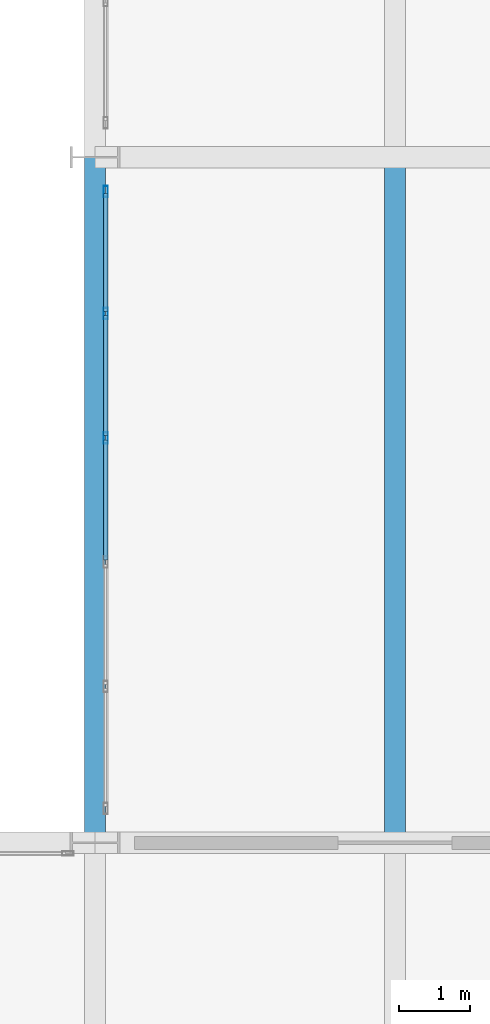
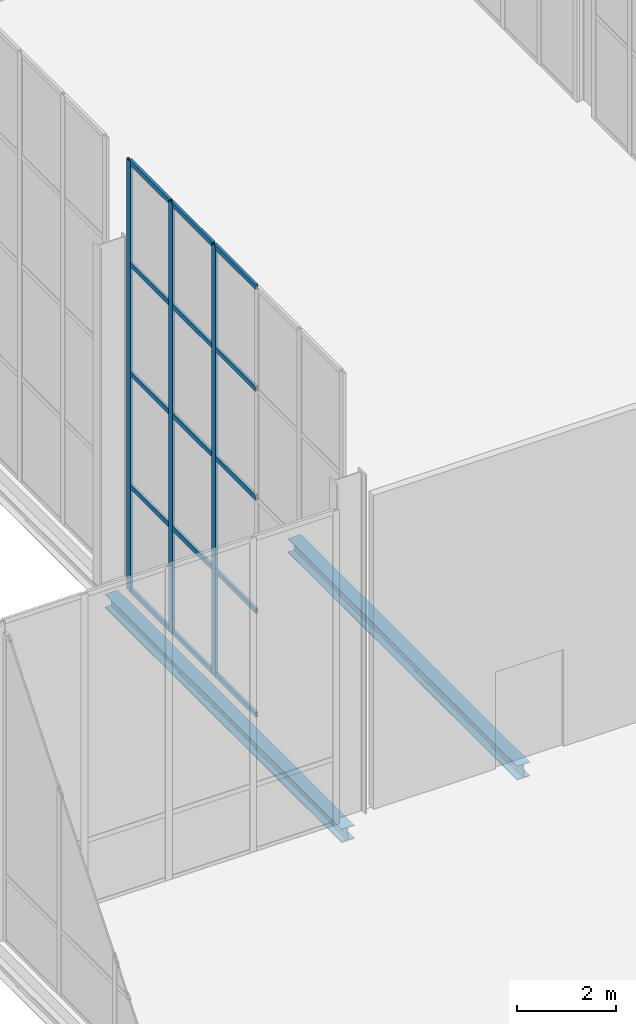
# One storey, part 46 of 131: 18 members, 2 beams, 1 element without a shape of its own.
"""IFC4 building model written with IfcOpenShell, lengths in metres."""

from ifc_helpers import new_model, si_unit, direction, frame, origin, origin_2d, place, context, subcontext, project, spatial, hollow_rectangle, i_section, extrude, material, material_profile, profile_set, type_object, element, aggregate, save


model = new_model("IFC4")

# Units and contexts
model_context = context("Model", 3, precision=1e-05, world=origin(), true_north=direction((0.0, 1.0)))
body_context = subcontext(model_context, "Body", "Model", "MODEL_VIEW")
ifc_project = project(units=[si_unit("LENGTHUNIT", "METRE"), si_unit("AREAUNIT", "SQUARE_METRE"), si_unit("VOLUMEUNIT", "CUBIC_METRE"), si_unit("PLANEANGLEUNIT", "RADIAN"), si_unit("MASSUNIT", "GRAM", prefix="KILO")], contexts=[model_context])

# Site, building, storey
site_placement = place(None, origin())
site = spatial("IfcSite", under=ifc_project, at=site_placement, CompositionType="ELEMENT")
building_placement = place(site_placement, origin())
building = spatial("IfcBuilding", under=site, at=building_placement, Name="Veltarok Museum of Natural Sciences", CompositionType="ELEMENT")
storey_placement = place(building_placement, origin())
storey = spatial("IfcBuildingStorey", under=building, at=storey_placement, Name="L00", CompositionType="ELEMENT", Elevation=0.0)

# Curtain wall, members
ifc_material_1 = material(Name="Low-iron triple insulated glass", Category="glass")
curtain_wall_type = type_object("IfcCurtainWallType", Name="Curtain Wall System CW-PAS-NW-HJ-870x1065 (Sculpture Court Passage H-J 870x1065cm)", PredefinedType="NOTDEFINED", material=ifc_material_1)
curtain_wall_placement = place(storey_placement, origin())
curtain_wall = element("IfcCurtainWall", 1, at=curtain_wall_placement, inside=storey, type_object=curtain_wall_type, Name="Curtain Wall CW-PAS-NW-HJ-870x1065 CW-0024", PredefinedType="NOTDEFINED")
ifc_material_2 = material(Name="Thermally broken anodised aluminium", Category="aluminium")
ifc_material_profile_1 = material_profile(ifc_material_2, hollow_rectangle(XDim=0.06005859375, YDim=0.1201171875, WallThickness=0.0048828125, at=origin_2d()), Name="CW TRANSOM 60x120x5")
ifc_profile_set_1 = profile_set([ifc_material_profile_1], Name="Thermally broken anodised aluminium")
member_type_1 = type_object("IfcMemberType", Name="Curtain Wall Horizontal Transom 60x120x5", PredefinedType="USERDEFINED", material=ifc_profile_set_1)
member_1_placement = place(storey_placement, frame((31.75, 75.9599609375, 0.030029296875), z_axis=(0.0, 1.0, 0.0), x_axis=(-1.0, 0.0, 0.0)))
member_1 = element("IfcMember", 2, at=member_1_placement, type_object=member_type_1, Name="CW-PAS-NW-HJ-870x1065 transom 3.1", ObjectType="TRANSOM", PredefinedType="USERDEFINED", context=body_context, shape_type="SweptSolid", body=[
    extrude(hollow_rectangle(XDim=0.06005859375, YDim=0.1201171875, WallThickness=0.0048828125, at=origin_2d()), origin(), (0.0, 0.0, 1.0), 1.679931640625),
])
member_2_placement = place(storey_placement, frame((31.75, 75.9599609375, 2.60009765625), z_axis=(0.0, 1.0, 0.0), x_axis=(-1.0, 0.0, 0.0)))
member_2 = element("IfcMember", 3, at=member_2_placement, type_object=member_type_1, Name="CW-PAS-NW-HJ-870x1065 transom 3.2", ObjectType="TRANSOM", PredefinedType="USERDEFINED", context=body_context, shape_type="SweptSolid", body=[
    extrude(hollow_rectangle(XDim=0.06005859375, YDim=0.1201171875, WallThickness=0.0048828125, at=origin_2d()), origin(), (0.0, 0.0, 1.0), 1.679931640625),
])
member_3_placement = place(storey_placement, frame((31.75, 75.9599609375, 5.39990234375), z_axis=(0.0, 1.0, 0.0), x_axis=(-1.0, 0.0, 0.0)))
member_3 = element("IfcMember", 4, at=member_3_placement, type_object=member_type_1, Name="CW-PAS-NW-HJ-870x1065 transom 3.3", ObjectType="TRANSOM", PredefinedType="USERDEFINED", context=body_context, shape_type="SweptSolid", body=[
    extrude(hollow_rectangle(XDim=0.06005859375, YDim=0.1201171875, WallThickness=0.0048828125, at=origin_2d()), origin(), (0.0, 0.0, 1.0), 1.679931640625),
])
member_4_placement = place(storey_placement, frame((31.75, 75.9599609375, 8.10009765625), z_axis=(0.0, 1.0, 0.0), x_axis=(-1.0, 0.0, 0.0)))
member_4 = element("IfcMember", 5, at=member_4_placement, type_object=member_type_1, Name="CW-PAS-NW-HJ-870x1065 transom 3.4", ObjectType="TRANSOM", PredefinedType="USERDEFINED", context=body_context, shape_type="SweptSolid", body=[
    extrude(hollow_rectangle(XDim=0.06005859375, YDim=0.1201171875, WallThickness=0.0048828125, at=origin_2d()), origin(), (0.0, 0.0, 1.0), 1.679931640625),
])
member_5_placement = place(storey_placement, frame((31.75, 75.9599609375, 10.6201171875), z_axis=(0.0, 1.0, 0.0), x_axis=(-1.0, 0.0, 0.0)))
member_5 = element("IfcMember", 6, at=member_5_placement, type_object=member_type_1, Name="CW-PAS-NW-HJ-870x1065 transom 3.5", ObjectType="TRANSOM", PredefinedType="USERDEFINED", context=body_context, shape_type="SweptSolid", body=[
    extrude(hollow_rectangle(XDim=0.06005859375, YDim=0.1201171875, WallThickness=0.0048828125, at=origin_2d()), origin(), (0.0, 0.0, 1.0), 1.679931640625),
])
member_6_placement = place(storey_placement, frame((31.75, 77.699951171875, 0.030029296875), z_axis=(0.0, 1.0, 0.0), x_axis=(-1.0, 0.0, 0.0)))
member_6 = element("IfcMember", 7, at=member_6_placement, type_object=member_type_1, Name="CW-PAS-NW-HJ-870x1065 transom 4.1", ObjectType="TRANSOM", PredefinedType="USERDEFINED", context=body_context, shape_type="SweptSolid", body=[
    extrude(hollow_rectangle(XDim=0.06005859375, YDim=0.1201171875, WallThickness=0.0048828125, at=origin_2d()), origin(), (0.0, 0.0, 1.0), 1.679931640625),
])
member_7_placement = place(storey_placement, frame((31.75, 77.699951171875, 2.60009765625), z_axis=(0.0, 1.0, 0.0), x_axis=(-1.0, 0.0, 0.0)))
member_7 = element("IfcMember", 8, at=member_7_placement, type_object=member_type_1, Name="CW-PAS-NW-HJ-870x1065 transom 4.2", ObjectType="TRANSOM", PredefinedType="USERDEFINED", context=body_context, shape_type="SweptSolid", body=[
    extrude(hollow_rectangle(XDim=0.06005859375, YDim=0.1201171875, WallThickness=0.0048828125, at=origin_2d()), origin(), (0.0, 0.0, 1.0), 1.679931640625),
])
member_8_placement = place(storey_placement, frame((31.75, 77.699951171875, 5.39990234375), z_axis=(0.0, 1.0, 0.0), x_axis=(-1.0, 0.0, 0.0)))
member_8 = element("IfcMember", 9, at=member_8_placement, type_object=member_type_1, Name="CW-PAS-NW-HJ-870x1065 transom 4.3", ObjectType="TRANSOM", PredefinedType="USERDEFINED", context=body_context, shape_type="SweptSolid", body=[
    extrude(hollow_rectangle(XDim=0.06005859375, YDim=0.1201171875, WallThickness=0.0048828125, at=origin_2d()), origin(), (0.0, 0.0, 1.0), 1.679931640625),
])
member_9_placement = place(storey_placement, frame((31.75, 77.699951171875, 8.10009765625), z_axis=(0.0, 1.0, 0.0), x_axis=(-1.0, 0.0, 0.0)))
member_9 = element("IfcMember", 10, at=member_9_placement, type_object=member_type_1, Name="CW-PAS-NW-HJ-870x1065 transom 4.4", ObjectType="TRANSOM", PredefinedType="USERDEFINED", context=body_context, shape_type="SweptSolid", body=[
    extrude(hollow_rectangle(XDim=0.06005859375, YDim=0.1201171875, WallThickness=0.0048828125, at=origin_2d()), origin(), (0.0, 0.0, 1.0), 1.679931640625),
])
member_10_placement = place(storey_placement, frame((31.75, 77.699951171875, 10.6201171875), z_axis=(0.0, 1.0, 0.0), x_axis=(-1.0, 0.0, 0.0)))
member_10 = element("IfcMember", 11, at=member_10_placement, type_object=member_type_1, Name="CW-PAS-NW-HJ-870x1065 transom 4.5", ObjectType="TRANSOM", PredefinedType="USERDEFINED", context=body_context, shape_type="SweptSolid", body=[
    extrude(hollow_rectangle(XDim=0.06005859375, YDim=0.1201171875, WallThickness=0.0048828125, at=origin_2d()), origin(), (0.0, 0.0, 1.0), 1.679931640625),
])
member_11_placement = place(storey_placement, frame((31.75, 79.43994140625, 0.030029296875), z_axis=(0.0, 1.0, 0.0), x_axis=(-1.0, 0.0, 0.0)))
member_11 = element("IfcMember", 12, at=member_11_placement, type_object=member_type_1, Name="CW-PAS-NW-HJ-870x1065 transom 5.1", ObjectType="TRANSOM", PredefinedType="USERDEFINED", context=body_context, shape_type="SweptSolid", body=[
    extrude(hollow_rectangle(XDim=0.06005859375, YDim=0.1201171875, WallThickness=0.0048828125, at=origin_2d()), origin(), (0.0, 0.0, 1.0), 1.650146484375),
])
member_12_placement = place(storey_placement, frame((31.75, 79.43994140625, 2.60009765625), z_axis=(0.0, 1.0, 0.0), x_axis=(-1.0, 0.0, 0.0)))
member_12 = element("IfcMember", 13, at=member_12_placement, type_object=member_type_1, Name="CW-PAS-NW-HJ-870x1065 transom 5.2", ObjectType="TRANSOM", PredefinedType="USERDEFINED", context=body_context, shape_type="SweptSolid", body=[
    extrude(hollow_rectangle(XDim=0.06005859375, YDim=0.1201171875, WallThickness=0.0048828125, at=origin_2d()), origin(), (0.0, 0.0, 1.0), 1.650146484375),
])
member_13_placement = place(storey_placement, frame((31.75, 79.43994140625, 5.39990234375), z_axis=(0.0, 1.0, 0.0), x_axis=(-1.0, 0.0, 0.0)))
member_13 = element("IfcMember", 14, at=member_13_placement, type_object=member_type_1, Name="CW-PAS-NW-HJ-870x1065 transom 5.3", ObjectType="TRANSOM", PredefinedType="USERDEFINED", context=body_context, shape_type="SweptSolid", body=[
    extrude(hollow_rectangle(XDim=0.06005859375, YDim=0.1201171875, WallThickness=0.0048828125, at=origin_2d()), origin(), (0.0, 0.0, 1.0), 1.650146484375),
])
member_14_placement = place(storey_placement, frame((31.75, 79.43994140625, 8.10009765625), z_axis=(0.0, 1.0, 0.0), x_axis=(-1.0, 0.0, 0.0)))
member_14 = element("IfcMember", 15, at=member_14_placement, type_object=member_type_1, Name="CW-PAS-NW-HJ-870x1065 transom 5.4", ObjectType="TRANSOM", PredefinedType="USERDEFINED", context=body_context, shape_type="SweptSolid", body=[
    extrude(hollow_rectangle(XDim=0.06005859375, YDim=0.1201171875, WallThickness=0.0048828125, at=origin_2d()), origin(), (0.0, 0.0, 1.0), 1.650146484375),
])
member_15_placement = place(storey_placement, frame((31.75, 79.43994140625, 10.6201171875), z_axis=(0.0, 1.0, 0.0), x_axis=(-1.0, 0.0, 0.0)))
member_15 = element("IfcMember", 16, at=member_15_placement, type_object=member_type_1, Name="CW-PAS-NW-HJ-870x1065 transom 5.5", ObjectType="TRANSOM", PredefinedType="USERDEFINED", context=body_context, shape_type="SweptSolid", body=[
    extrude(hollow_rectangle(XDim=0.06005859375, YDim=0.1201171875, WallThickness=0.0048828125, at=origin_2d()), origin(), (0.0, 0.0, 1.0), 1.650146484375),
])
ifc_material_profile_2 = material_profile(ifc_material_2, hollow_rectangle(XDim=0.06005859375, YDim=0.159912109375, WallThickness=0.0048828125, at=origin_2d()), Name="CW MULLION 60x160x5")
ifc_profile_set_2 = profile_set([ifc_material_profile_2], Name="Thermally broken anodised aluminium")
member_type_2 = type_object("IfcMemberType", Name="Curtain Wall Vertical Mullion 60x160x5", PredefinedType="MULLION", material=ifc_profile_set_2)
member_16_placement = place(storey_placement, frame((31.75, 77.669921875, 0.0), z_axis=(0.0, 0.0, 1.0), x_axis=(-1.0, 0.0, 0.0)))
member_16 = element("IfcMember", 17, at=member_16_placement, type_object=member_type_2, Name="CW-PAS-NW-HJ-870x1065 mullion 4", PredefinedType="MULLION", context=body_context, shape_type="SweptSolid", body=[
    extrude(hollow_rectangle(XDim=0.06005859375, YDim=0.159912109375, WallThickness=0.0048828125, at=origin_2d()), origin(), (0.0, 0.0, 1.0), 10.64990234375),
])
member_17_placement = place(storey_placement, frame((31.75, 79.409912109375, 0.0), z_axis=(0.0, 0.0, 1.0), x_axis=(-1.0, 0.0, 0.0)))
member_17 = element("IfcMember", 18, at=member_17_placement, type_object=member_type_2, Name="CW-PAS-NW-HJ-870x1065 mullion 5", PredefinedType="MULLION", context=body_context, shape_type="SweptSolid", body=[
    extrude(hollow_rectangle(XDim=0.06005859375, YDim=0.159912109375, WallThickness=0.0048828125, at=origin_2d()), origin(), (0.0, 0.0, 1.0), 10.64990234375),
])
member_18_placement = place(storey_placement, frame((31.75, 81.1201171875, 0.0), z_axis=(0.0, 0.0, 1.0), x_axis=(-1.0, 0.0, 0.0)))
member_18 = element("IfcMember", 19, at=member_18_placement, type_object=member_type_2, Name="CW-PAS-NW-HJ-870x1065 mullion 6", PredefinedType="MULLION", context=body_context, shape_type="SweptSolid", body=[
    extrude(hollow_rectangle(XDim=0.06005859375, YDim=0.159912109375, WallThickness=0.0048828125, at=origin_2d()), origin(), (0.0, 0.0, 1.0), 10.64990234375),
])
aggregate(curtain_wall, [member_16, member_17, member_18, member_1, member_2, member_3, member_4, member_5, member_6, member_7, member_8, member_9, member_10, member_11, member_12, member_13, member_14, member_15])

# Beams
ifc_material_3 = material(Name="Steel S355J2", Category="steel")
ifc_material_profile_3 = material_profile(ifc_material_3, i_section(OverallWidth=0.300048828125, OverallDepth=0.35009765625, WebThickness=0.010009765625, FlangeThickness=0.017578125, FilletRadius=0.027099609375, at=origin_2d()), Name="HEA 360")
ifc_profile_set_3 = profile_set([ifc_material_profile_3], Name="Steel S355J2")
beam_type_1 = type_object("IfcBeamType", Name="Long-Span Gallery Joist HEA 360", PredefinedType="JOIST", material=ifc_profile_set_3)
beam_1_placement = place(storey_placement, frame((35.800048828125, 72.14794921875, -0.47509765625), z_axis=(0.0, 1.0, 0.0), x_axis=(-1.0, 0.0, 0.0)))
element("IfcBeam", 20, at=beam_1_placement, inside=storey, type_object=beam_type_1, Name="Secondary Joist BM-J07 L00 4-5/H-J.1", PredefinedType="JOIST", context=body_context, shape_type="SweptSolid", body=[
    extrude(i_section(OverallWidth=0.300048828125, OverallDepth=0.35009765625, WebThickness=0.010009765625, FlangeThickness=0.017578125, FilletRadius=0.027099609375, at=origin_2d()), origin(), (0.0, 0.0, 1.0), 9.303955078125),
])
ifc_material_profile_4 = material_profile(ifc_material_3, i_section(OverallWidth=0.300048828125, OverallDepth=0.340087890625, WebThickness=0.011962890625, FlangeThickness=0.021484375, FilletRadius=0.027099609375, at=origin_2d()), Name="HEB 340")
ifc_profile_set_4 = profile_set([ifc_material_profile_4], Name="Steel S355J2")
beam_type_2 = type_object("IfcBeamType", Name="Perimeter Bridge Spandrel HEB 340", PredefinedType="SPANDREL", material=ifc_profile_set_4)
beam_2_placement = place(storey_placement, frame((31.60009765625, 72.0, -0.469970703125), z_axis=(0.0, 1.0, 0.0), x_axis=(-1.0, 0.0, 0.0)))
element("IfcBeam", 21, at=beam_2_placement, inside=storey, type_object=beam_type_2, Name="Beam BM-SP07 L00 4/H-J", PredefinedType="SPANDREL", context=body_context, shape_type="SweptSolid", body=[
    extrude(i_section(OverallWidth=0.300048828125, OverallDepth=0.340087890625, WebThickness=0.011962890625, FlangeThickness=0.021484375, FilletRadius=0.027099609375, at=origin_2d()), origin(), (0.0, 0.0, 1.0), 9.60009765625),
])

save(model, "model.ifc")
